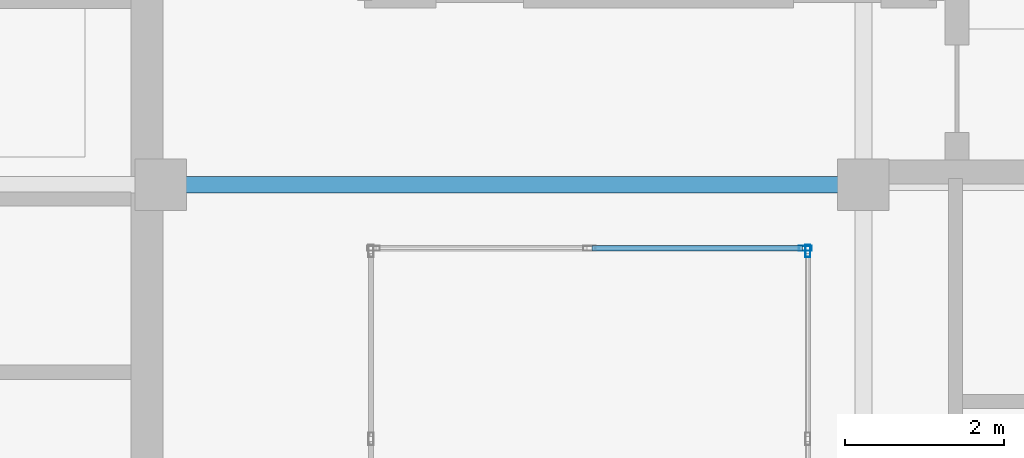
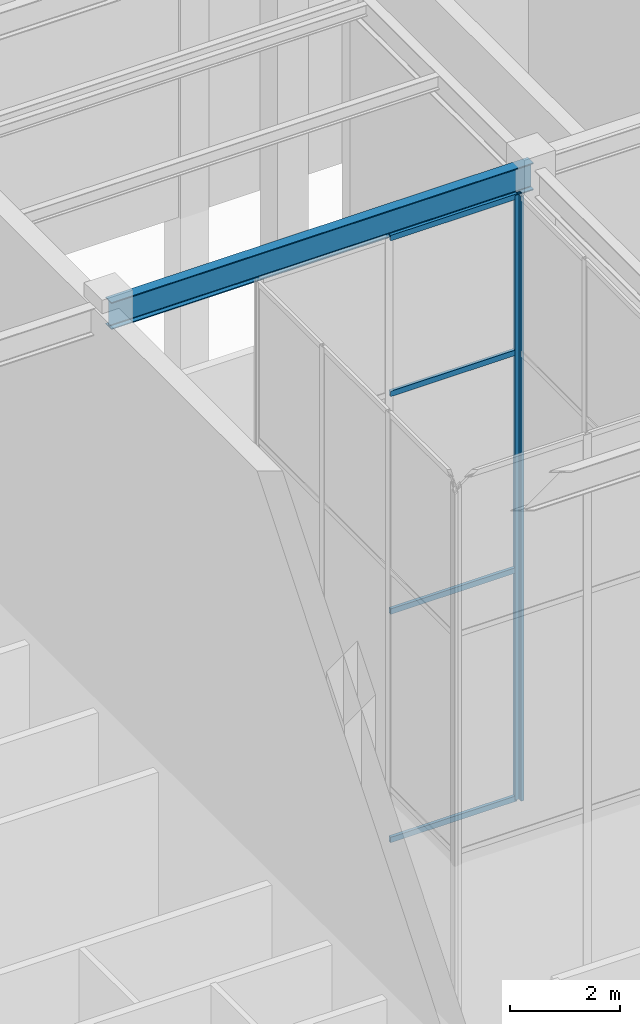
# One storey, part 9 of 15: 6 members, 1 beam, 2 elements without a shape of their own.
"""IFC4 building model written with IfcOpenShell, lengths in metres."""

from ifc_helpers import new_model, si_unit, direction, frame, origin, origin_2d, place, context, subcontext, project, spatial, hollow_rectangle, i_section, extrude, material, layer, layer_set, material_profile, profile_set, type_object, element, aggregate, save


model = new_model("IFC4")

# Units and contexts
model_context = context("Model", 3, precision=1e-05, world=origin(), true_north=direction((0.0, 1.0)))
body_context = subcontext(model_context, "Body", "Model", "MODEL_VIEW")
ifc_project = project(units=[si_unit("LENGTHUNIT", "METRE"), si_unit("AREAUNIT", "SQUARE_METRE"), si_unit("VOLUMEUNIT", "CUBIC_METRE"), si_unit("PLANEANGLEUNIT", "RADIAN"), si_unit("MASSUNIT", "GRAM", prefix="KILO")], contexts=[model_context])

# Site, building, storey
site_placement = place(None, origin())
site = spatial("IfcSite", under=ifc_project, at=site_placement, CompositionType="ELEMENT")
building_placement = place(site_placement, origin())
building = spatial("IfcBuilding", under=site, at=building_placement, Name="Kundavana Baori Tower", CompositionType="ELEMENT")
storey_placement = place(building_placement, frame((0.0, 0.0, 354.699951171875)))
storey = spatial("IfcBuildingStorey", under=building, at=storey_placement, Name="L88", CompositionType="ELEMENT", Elevation=354.699951171875)

# Beam
ifc_material_1 = material(Name="Structural Steel S355JR", Category="steel")
ifc_material_profile_1 = material_profile(ifc_material_1, i_section(OverallWidth=0.2099609375, OverallDepth=0.60009765625, WebThickness=0.011962890625, FlangeThickness=0.020751953125, FilletRadius=0.02001953125, at=origin_2d()), Name="ISMB 600")
ifc_profile_set_1 = profile_set([ifc_material_profile_1], Name="Structural Steel S355JR")
beam_type = type_object("IfcBeamType", Name="BM-ST-600", PredefinedType="BEAM", material=ifc_profile_set_1)
beam_placement = place(storey_placement, frame((24.949951171875, 33.0, 13.10009765625), z_axis=(1.0, 0.0, 0.0), x_axis=(0.0, 1.0, 0.0)))
element("IfcBeam", 1, at=beam_placement, inside=storey, type_object=beam_type, Name="L88 Primary Grid Girder GX-3-2", PredefinedType="BEAM", context=body_context, shape_type="SweptSolid", body=[
    extrude(i_section(OverallWidth=0.2099609375, OverallDepth=0.60009765625, WebThickness=0.011962890625, FlangeThickness=0.020751953125, FilletRadius=0.02001953125, at=origin_2d()), origin(), (0.0, 0.0, 1.0), 8.85009765625),
])

# Curtain wall, member
ifc_material_2 = material(Name="Thermally Broken Anodised Aluminium Framing", Category="aluminium")
ifc_layer = layer(ifc_material_2, 0.25, Name="CW-SYS-7")
ifc_layer_set = layer_set([ifc_layer], Name="Thermally Broken Anodised Aluminium Framing")
curtain_wall_type = type_object("IfcCurtainWallType", Name="CW-SYS-7", PredefinedType="NOTDEFINED", material=ifc_layer_set)
curtain_wall_1_placement = place(storey_placement, origin())
curtain_wall_1 = element("IfcCurtainWall", 2, at=curtain_wall_1_placement, inside=storey, type_object=curtain_wall_type, Name="L88 Atrium Glazed Curtain Wall E", PredefinedType="NOTDEFINED")
ifc_material_3 = material(Name="Thermally Broken Anodised Aluminium Framing", Category="aluminium")
ifc_material_profile_2 = material_profile(ifc_material_3, hollow_rectangle(XDim=0.06494140625, YDim=0.159912109375, WallThickness=0.00390625, at=origin_2d()), Name="CW-MULL-160")
ifc_profile_set_2 = profile_set([ifc_material_profile_2], Name="Thermally Broken Anodised Aluminium Framing")
member_type_1 = type_object("IfcMemberType", Name="CW-MULL-160", PredefinedType="MULLION", material=ifc_profile_set_2)
member_1_placement = place(storey_placement, frame((33.10009765625, 32.16748046875, 0.0), z_axis=(0.0, 0.0, 1.0), x_axis=(-1.0, 0.0, 0.0)))
member_1 = element("IfcMember", 3, at=member_1_placement, type_object=member_type_1, Name="CW7 mullion 4", PredefinedType="MULLION", context=body_context, shape_type="SweptSolid", body=[
    extrude(hollow_rectangle(XDim=0.06494140625, YDim=0.159912109375, WallThickness=0.00390625, at=origin_2d()), origin(), (0.0, 0.0, 1.0), 13.400146484375),
])
aggregate(curtain_wall_1, [member_1])

# Curtain wall, members
curtain_wall_2_placement = place(storey_placement, origin())
curtain_wall_2 = element("IfcCurtainWall", 4, at=curtain_wall_2_placement, inside=storey, type_object=curtain_wall_type, Name="L88 Atrium Glazed Curtain Wall N", PredefinedType="NOTDEFINED")
member_2_placement = place(storey_placement, frame((33.0673828125, 32.199951171875, 0.0), z_axis=(0.0, 0.0, 1.0), x_axis=(0.0, -1.0, 0.0)))
member_2 = element("IfcMember", 5, at=member_2_placement, type_object=member_type_1, Name="CW7 mullion 1", PredefinedType="MULLION", context=body_context, shape_type="SweptSolid", body=[
    extrude(hollow_rectangle(XDim=0.06494140625, YDim=0.159912109375, WallThickness=0.00390625, at=origin_2d()), origin(), (0.0, 0.0, 1.0), 13.400146484375),
])
ifc_material_4 = material(Name="Thermally Broken Anodised Aluminium Framing", Category="aluminium")
ifc_material_profile_3 = material_profile(ifc_material_4, hollow_rectangle(XDim=0.06494140625, YDim=0.1201171875, WallThickness=0.00390625, at=origin_2d()), Name="CW-TRAN-120")
ifc_profile_set_3 = profile_set([ifc_material_profile_3], Name="Thermally Broken Anodised Aluminium Framing")
member_type_2 = type_object("IfcMemberType", Name="CW-TRAN-120", PredefinedType="USERDEFINED", material=ifc_profile_set_3)
member_3_placement = place(storey_placement, frame((33.034912109375, 32.199951171875, 0.032470703125), z_axis=(-1.0, 0.0, 0.0), x_axis=(0.0, -1.0, 0.0)))
member_3 = element("IfcMember", 6, at=member_3_placement, type_object=member_type_2, Name="CW7 transom 1.1", ObjectType="TRANSOM", PredefinedType="USERDEFINED", context=body_context, shape_type="SweptSolid", body=[
    extrude(hollow_rectangle(XDim=0.06494140625, YDim=0.1201171875, WallThickness=0.00390625, at=origin_2d()), origin(), (0.0, 0.0, 1.0), 2.65234375),
])
member_4_placement = place(storey_placement, frame((33.034912109375, 32.199951171875, 5.092041015625), z_axis=(-1.0, 0.0, 0.0), x_axis=(0.0, -1.0, 0.0)))
member_4 = element("IfcMember", 7, at=member_4_placement, type_object=member_type_2, Name="CW7 transom 1.2", ObjectType="TRANSOM", PredefinedType="USERDEFINED", context=body_context, shape_type="SweptSolid", body=[
    extrude(hollow_rectangle(XDim=0.06494140625, YDim=0.1201171875, WallThickness=0.00390625, at=origin_2d()), origin(), (0.0, 0.0, 1.0), 2.65234375),
])
member_5_placement = place(storey_placement, frame((33.034912109375, 32.199951171875, 9.916015625), z_axis=(-1.0, 0.0, 0.0), x_axis=(0.0, -1.0, 0.0)))
member_5 = element("IfcMember", 8, at=member_5_placement, type_object=member_type_2, Name="CW7 transom 1.3", ObjectType="TRANSOM", PredefinedType="USERDEFINED", context=body_context, shape_type="SweptSolid", body=[
    extrude(hollow_rectangle(XDim=0.06494140625, YDim=0.1201171875, WallThickness=0.00390625, at=origin_2d()), origin(), (0.0, 0.0, 1.0), 2.65234375),
])
member_6_placement = place(storey_placement, frame((33.034912109375, 32.199951171875, 13.367431640625), z_axis=(-1.0, 0.0, 0.0), x_axis=(0.0, -1.0, 0.0)))
member_6 = element("IfcMember", 9, at=member_6_placement, type_object=member_type_2, Name="CW7 transom 1.4", ObjectType="TRANSOM", PredefinedType="USERDEFINED", context=body_context, shape_type="SweptSolid", body=[
    extrude(hollow_rectangle(XDim=0.06494140625, YDim=0.1201171875, WallThickness=0.00390625, at=origin_2d()), origin(), (0.0, 0.0, 1.0), 2.65234375),
])
aggregate(curtain_wall_2, [member_2, member_3, member_4, member_5, member_6])

save(model, "model.ifc")
